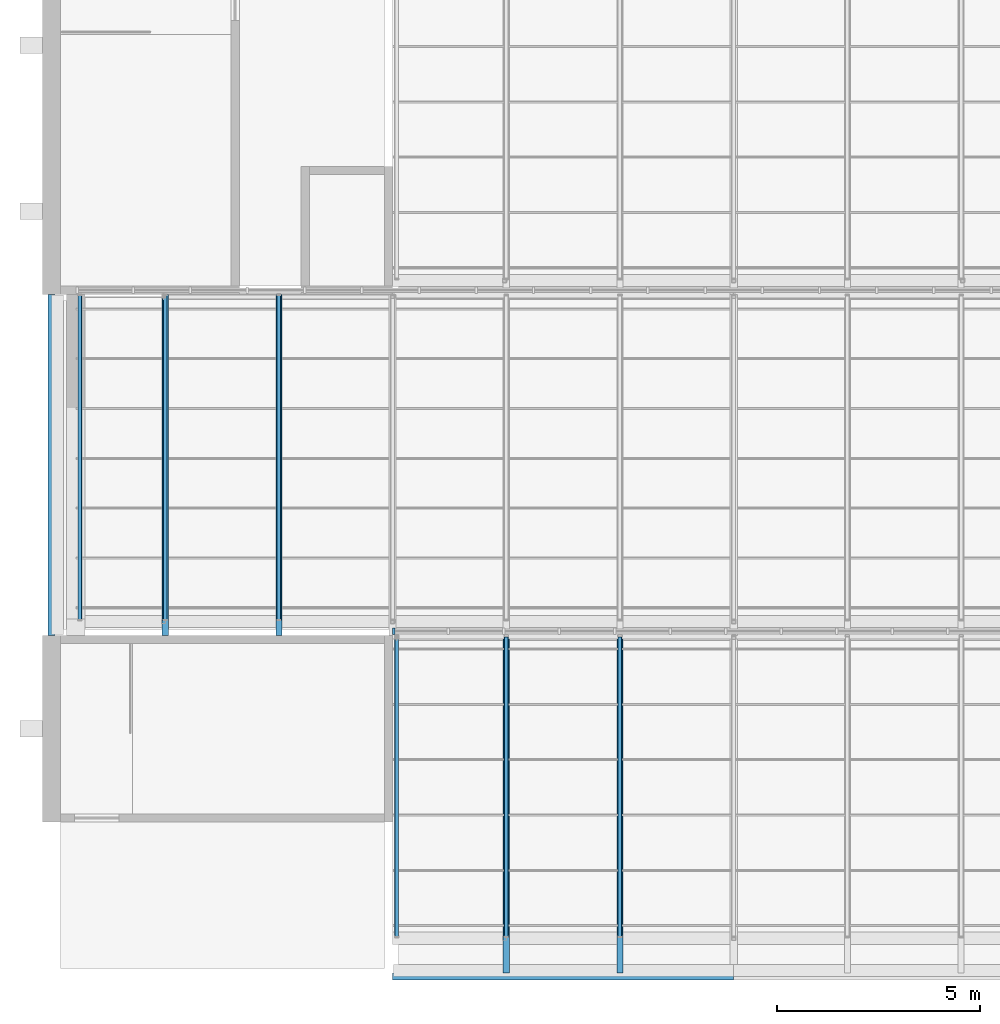
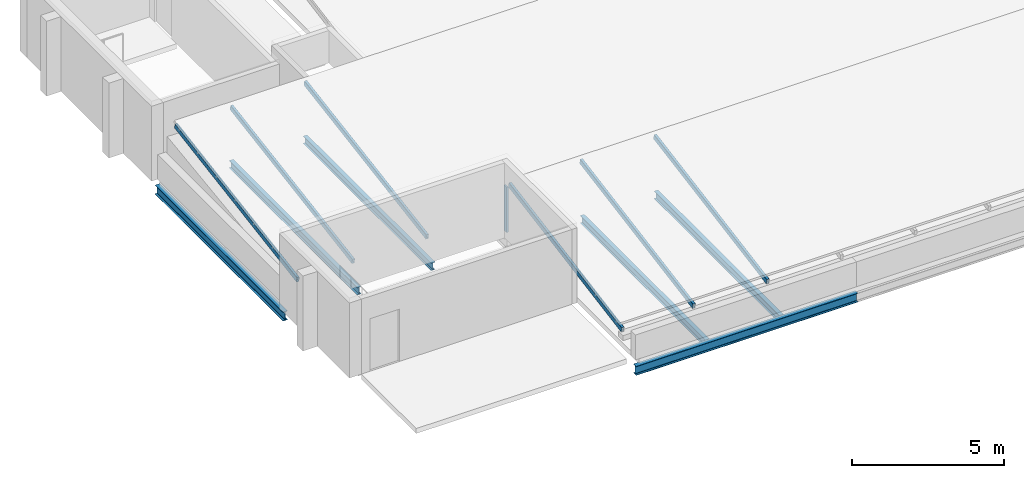
# One storey, part 2 of 42: 7 members, 6 beams, 1 element without a shape of its own.
"""IFC4 building model written with IfcOpenShell, lengths in metres."""

from ifc_helpers import new_model, si_unit, direction, frame, origin, origin_2d, place, context, subcontext, project, spatial, rectangle, hollow_rectangle, i_section, extrude, material, layer, layer_set, material_profile, profile_set, type_object, element, aggregate, save


model = new_model("IFC4")

# Units and contexts
model_context = context("Model", 3, precision=1e-05, world=origin(), true_north=direction((0.0, 1.0)))
body_context = subcontext(model_context, "Body", "Model", "MODEL_VIEW")
ifc_project = project(units=[si_unit("LENGTHUNIT", "METRE"), si_unit("AREAUNIT", "SQUARE_METRE"), si_unit("VOLUMEUNIT", "CUBIC_METRE"), si_unit("PLANEANGLEUNIT", "RADIAN"), si_unit("MASSUNIT", "GRAM", prefix="KILO")], contexts=[model_context])

# Site, building, storey
site_placement = place(None, origin())
site = spatial("IfcSite", under=ifc_project, at=site_placement, CompositionType="ELEMENT")
building_placement = place(site_placement, origin())
building = spatial("IfcBuilding", under=site, at=building_placement, Name="Ardhachandra Cancer Care Centre", CompositionType="ELEMENT")
storey_placement = place(building_placement, frame((0.0, 0.0, 22.5)))
storey = spatial("IfcBuildingStorey", under=building, at=storey_placement, Name="L05", CompositionType="ELEMENT", Elevation=22.5)

# Beams
ifc_material_1 = material(Name="Steel E350 (IS 2062)", Category="steel")
ifc_material_profile_1 = material_profile(ifc_material_1, i_section(OverallWidth=0.152099609375, OverallDepth=0.303955078125, WebThickness=0.008056640625, FlangeThickness=0.0126953125, FilletRadius=0.014892578125, at=origin_2d()), Name="NPB 300x150x49.32")
ifc_profile_set_1 = profile_set([ifc_material_profile_1], Name="Steel E350 (IS 2062)")
beam_type_1 = type_object("IfcBeamType", Name="Beam NPB 300x150x49.32", PredefinedType="BEAM", material=ifc_profile_set_1)
for number, where, z_axis, x_axis, name in (
    (1, (13.60009765625, 79.800048828125, -0.35205078125), (0.0, 1.0, 0.0), (-1.0, 0.0, 0.0), "Secondary J1-K1@2800"),
    (2, (16.39990234375, 79.800048828125, -0.35205078125), (0.0, 1.0, 0.0), (-1.0, 0.0, 0.0), "Secondary J1-K1@5600"),
):
    element("IfcBeam", number, at=place(storey_placement, frame(where, z_axis=z_axis, x_axis=x_axis)), inside=storey, type_object=beam_type_1, Name=name, PredefinedType="BEAM", context=body_context, shape_type="SweptSolid", body=[
        extrude(i_section(OverallWidth=0.152099609375, OverallDepth=0.303955078125, WebThickness=0.008056640625, FlangeThickness=0.0126953125, FilletRadius=0.014892578125, at=origin_2d()), origin(), (0.0, 0.0, 1.0), 8.39990234375),
    ])
for number, where, z_axis, x_axis, name in (
    (3, (22.0, 71.486083984375, -0.35205078125), (0.0, 1.0, 0.0), (-1.0, 0.0, 0.0), "Secondary H2-J2@2800"),
    (4, (24.800048828125, 71.486083984375, -0.35205078125), (0.0, 1.0, 0.0), (-1.0, 0.0, 0.0), "Secondary H2-J2@5600"),
):
    element("IfcBeam", number, at=place(storey_placement, frame(where, z_axis=z_axis, x_axis=x_axis)), inside=storey, type_object=beam_type_1, Name=name, PredefinedType="BEAM", context=body_context, shape_type="SweptSolid", body=[
        extrude(i_section(OverallWidth=0.152099609375, OverallDepth=0.303955078125, WebThickness=0.008056640625, FlangeThickness=0.0126953125, FilletRadius=0.014892578125, at=origin_2d()), origin(), (0.0, 0.0, 1.0), 8.223876953125),
    ])
ifc_material_2 = material(Name="Steel E350 (IS 2062)", Category="steel")
ifc_material_profile_2 = material_profile(ifc_material_2, i_section(OverallWidth=0.172119140625, OverallDepth=0.364013671875, WebThickness=0.00927734375, FlangeThickness=0.0146484375, FilletRadius=0.01806640625, at=origin_2d()), Name="NPB 350x170x66.04")
ifc_profile_set_2 = profile_set([ifc_material_profile_2], Name="Steel E350 (IS 2062)")
beam_type_2 = type_object("IfcBeamType", Name="Beam NPB 350x170x66.04", PredefinedType="BEAM", material=ifc_profile_set_2)
beam_1_placement = place(storey_placement, frame((19.199951171875, 71.39990234375, -0.382080078125), z_axis=(1.0, 0.0, 0.0), x_axis=(0.0, 1.0, 0.0)))
element("IfcBeam", 5, at=beam_1_placement, inside=storey, type_object=beam_type_2, Name="Edge girder H2-H3", PredefinedType="BEAM", context=body_context, shape_type="SweptSolid", body=[
    extrude(i_section(OverallWidth=0.172119140625, OverallDepth=0.364013671875, WebThickness=0.00927734375, FlangeThickness=0.0146484375, FilletRadius=0.01806640625, at=origin_2d()), origin(), (0.0, 0.0, 1.0), 8.400146484375),
])
beam_2_placement = place(storey_placement, frame((10.800048828125, 79.800048828125, -0.382080078125), z_axis=(0.0, 1.0, 0.0), x_axis=(-1.0, 0.0, 0.0)))
element("IfcBeam", 6, at=beam_2_placement, inside=storey, type_object=beam_type_2, Name="Edge girder J1-K1", PredefinedType="BEAM", context=body_context, shape_type="SweptSolid", body=[
    extrude(i_section(OverallWidth=0.172119140625, OverallDepth=0.364013671875, WebThickness=0.00927734375, FlangeThickness=0.0146484375, FilletRadius=0.01806640625, at=origin_2d()), origin(), (0.0, 0.0, 1.0), 8.39990234375),
])

# Curtain wall, member
ifc_material_3 = material(Name="Aluminium extrusion", Category="aluminium")
ifc_layer = layer(ifc_material_3, 0.14990234375)
ifc_layer_set = layer_set([ifc_layer], Name="Aluminium extrusion")
curtain_wall_type = type_object("IfcCurtainWallType", Name="Curtain wall run", PredefinedType="NOTDEFINED", material=ifc_layer_set)
curtain_wall_placement = place(storey_placement, origin())
curtain_wall = element("IfcCurtainWall", 7, at=curtain_wall_placement, inside=storey, type_object=curtain_wall_type, Name="Curtain wall L05 n/0019200_0079900", PredefinedType="NOTDEFINED")
ifc_material_4 = material(Name="Aluminium extrusion", Category="aluminium")
ifc_material_profile_3 = material_profile(ifc_material_4, rectangle(XDim=0.159912109375, YDim=0.06005859375, at=origin_2d()), Name="Curtain wall mullion 60 x 160")
ifc_profile_set_3 = profile_set([ifc_material_profile_3], Name="Aluminium extrusion")
member_type_1 = type_object("IfcMemberType", Name="Curtain wall mullion 60 x 160", PredefinedType="MULLION", material=ifc_profile_set_3)
member_placement = place(storey_placement, frame((19.22998046875, 79.89990234375, 0.0), z_axis=(0.0, 0.0, 1.0), x_axis=(0.0, 1.0, 0.0)))
member = element("IfcMember", 8, at=member_placement, type_object=member_type_1, Name="CW mullion 1", PredefinedType="MULLION", context=body_context, shape_type="SweptSolid", body=[
    extrude(rectangle(XDim=0.159912109375, YDim=0.06005859375, at=origin_2d()), origin(), (0.0, 0.0, 1.0), 1.820068359375),
])
aggregate(curtain_wall, [member])

# Members
ifc_material_5 = material(Name="Steel E350 (IS 2062)", Category="steel")
ifc_material_profile_4 = material_profile(ifc_material_5, hollow_rectangle(XDim=0.10009765625, YDim=0.199951171875, WallThickness=0.006103515625, InnerFilletRadius=0.006103515625, OuterFilletRadius=0.011962890625, at=origin_2d()), Name="RHS 200x100x6.0")
ifc_profile_set_4 = profile_set([ifc_material_profile_4], Name="Steel E350 (IS 2062)")
member_type_2 = type_object("IfcMemberType", Name="Roof rafter RHS 200x100x6.0", PredefinedType="RAFTER", material=ifc_profile_set_4)
for number, where, z_axis, x_axis, name in (
    (9, (19.300048828125, 72.38232421875, 0.598388671875), (0.0, 0.984459475851, 0.175611902805), (-1.0, 0.0, 0.0), "Rafter NT1a.1"),
    (10, (22.0, 72.38232421875, 0.598388671875), (0.0, 0.984459475851, 0.175611902805), (-1.0, 0.0, 0.0), "Rafter NT1a.2"),
    (11, (24.800048828125, 72.38232421875, 0.598388671875), (0.0, 0.984459475851, 0.175611902805), (-1.0, 0.0, 0.0), "Rafter NT1a.3"),
):
    element("IfcMember", number, at=place(storey_placement, frame(where, z_axis=z_axis, x_axis=x_axis)), inside=storey, type_object=member_type_2, Name=name, PredefinedType="RAFTER", context=body_context, shape_type="SweptSolid", body=[
        extrude(hollow_rectangle(XDim=0.10009765625, YDim=0.199951171875, WallThickness=0.006103515625, InnerFilletRadius=0.006103515625, OuterFilletRadius=0.011962890625, at=origin_2d()), origin(), (0.0, 0.0, 1.0), 7.516845703125),
    ])
for number, where, z_axis, x_axis, name in (
    (12, (11.5, 80.183837890625, 0.5986328125), (0.0, 0.986657936602, 0.162806990454), (-1.0, 0.0, 0.0), "Rafter NT2a.1"),
    (13, (13.60009765625, 80.183837890625, 0.5986328125), (0.0, 0.986657936602, 0.162806990454), (-1.0, 0.0, 0.0), "Rafter NT2a.2"),
    (14, (16.39990234375, 80.183837890625, 0.5986328125), (0.0, 0.986657936602, 0.162806990454), (-1.0, 0.0, 0.0), "Rafter NT2a.3"),
):
    element("IfcMember", number, at=place(storey_placement, frame(where, z_axis=z_axis, x_axis=x_axis)), inside=storey, type_object=member_type_2, Name=name, PredefinedType="RAFTER", context=body_context, shape_type="SweptSolid", body=[
        extrude(hollow_rectangle(XDim=0.10009765625, YDim=0.199951171875, WallThickness=0.006103515625, InnerFilletRadius=0.006103515625, OuterFilletRadius=0.011962890625, at=origin_2d()), origin(), (0.0, 0.0, 1.0), 8.108154296875),
    ])

save(model, "model.ifc")
